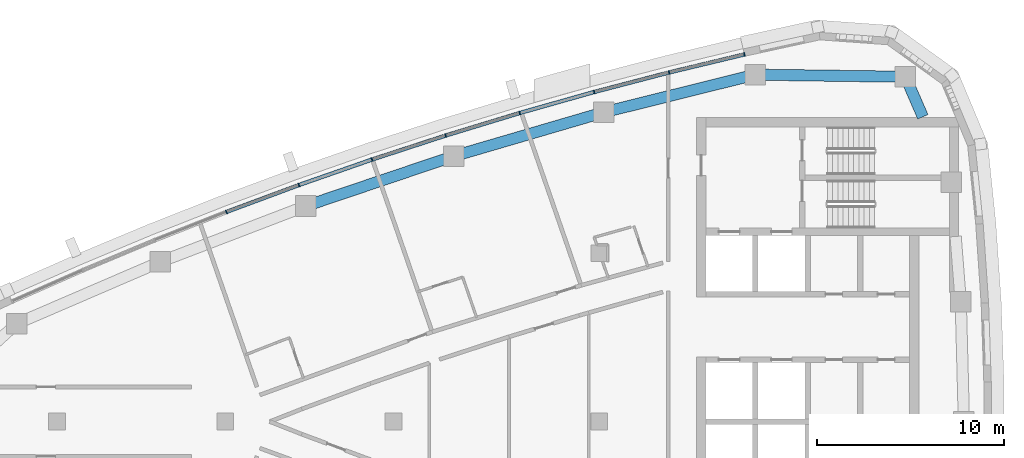
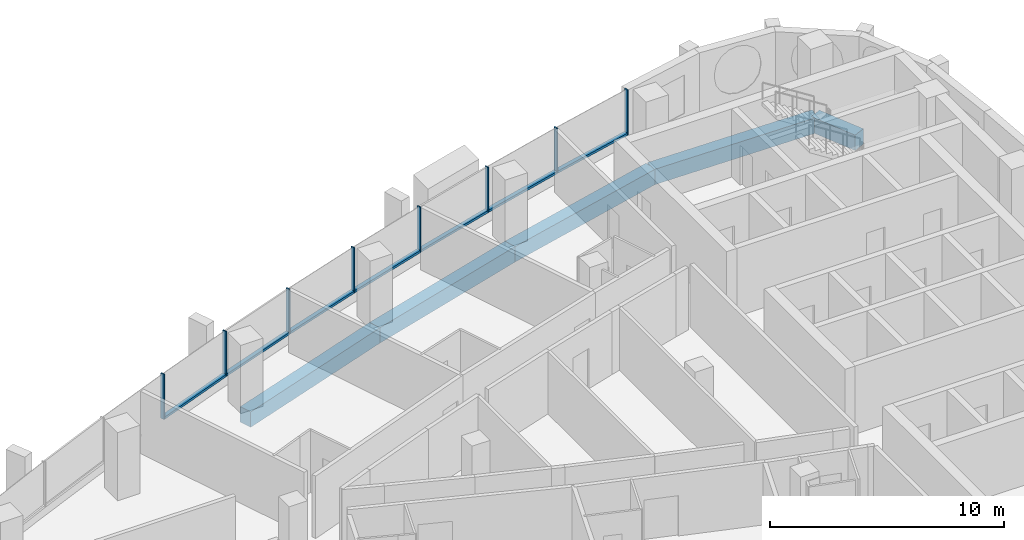
# One storey, part 5 of 15: 15 members, 5 beams, 4 elements without a shape of their own.
"""IFC4 building model written with IfcOpenShell, lengths in metres."""

from ifc_helpers import new_model, si_unit, direction, frame, origin, origin_2d, place, context, subcontext, project, spatial, rectangle, extrude, material, layer, layer_set, material_profile, profile_set, type_object, element, aggregate, save


model = new_model("IFC4")

# Units and contexts
model_context = context("Model", 3, precision=1e-05, world=origin(), true_north=direction((0.0, 1.0)))
body_context = subcontext(model_context, "Body", "Model", "MODEL_VIEW")
ifc_project = project(units=[si_unit("LENGTHUNIT", "METRE"), si_unit("AREAUNIT", "SQUARE_METRE"), si_unit("VOLUMEUNIT", "CUBIC_METRE"), si_unit("PLANEANGLEUNIT", "RADIAN"), si_unit("MASSUNIT", "GRAM", prefix="KILO")], contexts=[model_context])

# Site, building, storey
site_placement = place(None, origin())
site = spatial("IfcSite", under=ifc_project, at=site_placement, CompositionType="ELEMENT")
building_placement = place(site_placement, origin())
building = spatial("IfcBuilding", under=site, at=building_placement, Name="Ostrand Prow Hotel Tower", CompositionType="ELEMENT")
storey_placement = place(building_placement, frame((0.0, 0.0, 292.75)))
storey = spatial("IfcBuildingStorey", under=building, at=storey_placement, Name="L74", CompositionType="ELEMENT", Elevation=292.75)

# Beams
ifc_material_1 = material(Name="Concrete C50/60", Category="concrete")
ifc_material_profile_1 = material_profile(ifc_material_1, rectangle(XDim=0.60009765625, YDim=0.800048828125, at=origin_2d()), Name="RC 600x800")
ifc_profile_set_1 = profile_set([ifc_material_profile_1], Name="Concrete C50/60")
beam_type = type_object("IfcBeamType", Name="Edge beam 600x800 C50/60", PredefinedType="SPANDREL", material=ifc_profile_set_1)
beam_1_placement = place(storey_placement, frame((62.304931640625, 16.300048828125, -0.699951171875), z_axis=(-0.398863844187, 0.91701016014, 0.0), x_axis=(-0.91701016014, -0.398863844187, 0.0)))
element("IfcBeam", 1, at=beam_1_placement, inside=storey, type_object=beam_type, Name="Edge beam B5-NE", PredefinedType="SPANDREL", context=body_context, shape_type="SweptSolid", body=[
    extrude(rectangle(XDim=0.60009765625, YDim=0.800048828125, at=origin_2d()), origin(), (0.0, 0.0, 1.0), 2.333251953125),
])
beam_2_placement = place(storey_placement, frame((61.374267578125, 18.439697265625, -0.699951171875), z_axis=(-0.999900689486, 0.014092947356, 0.0), x_axis=(-0.014092947356, -0.999900689486, 0.0)))
element("IfcBeam", 2, at=beam_2_placement, inside=storey, type_object=beam_type, Name="Edge beam NE-N1", PredefinedType="SPANDREL", context=body_context, shape_type="SweptSolid", body=[
    extrude(rectangle(XDim=0.60009765625, YDim=0.800048828125, at=origin_2d()), origin(), (0.0, 0.0, 1.0), 8.0380859375),
])
for number, where, z_axis, x_axis, name in (
    (3, (53.3369140625, 18.552978515625, -0.699951171875), (-0.970456465292, -0.241276291775, 0.0), (0.241276291775, -0.970456465292, 0.0), "Edge beam N1-N2"),
    (4, (45.234619140625, 16.53857421875, -0.699951171875), (-0.959821966031, -0.280609681809, 0.0), (0.280609681809, -0.959821966031, 0.0), "Edge beam N2-N3"),
    (5, (37.22119140625, 14.19580078125, -0.699951171875), (-0.947575089419, -0.319533174981, 0.0), (0.319533174981, -0.947575089419, 0.0), "Edge beam N3-N4"),
):
    element("IfcBeam", number, at=place(storey_placement, frame(where, z_axis=z_axis, x_axis=x_axis)), inside=storey, type_object=beam_type, Name=name, PredefinedType="SPANDREL", context=body_context, shape_type="SweptSolid", body=[
        extrude(rectangle(XDim=0.60009765625, YDim=0.800048828125, at=origin_2d()), origin(), (0.0, 0.0, 1.0), 8.348876953125),
    ])

# Curtain wall, members
ifc_material_2 = material(Name="Insulated glass in bronze anodised frame", Category="glass")
ifc_layer = layer(ifc_material_2, 0.199951171875)
ifc_layer_set = layer_set([ifc_layer], Name="Insulated glass in bronze anodised frame")
curtain_wall_type = type_object("IfcCurtainWallType", Name="Strip curtain wall, fritted glass over bronze spandrel", PredefinedType="NOTDEFINED", material=ifc_layer_set)
curtain_wall_1_placement = place(storey_placement, origin())
curtain_wall_1 = element("IfcCurtainWall", 6, at=curtain_wall_1_placement, inside=storey, type_object=curtain_wall_type, Name="CW1 run CWN1", PredefinedType="NOTDEFINED")
ifc_material_3 = material(Name="Bronze anodised aluminium", Category="aluminium")
ifc_material_profile_2 = material_profile(ifc_material_3, rectangle(XDim=0.199951171875, YDim=0.06005859375, at=origin_2d()), Name="Mullion 60x200 bronze anodised aluminium")
ifc_profile_set_2 = profile_set([ifc_material_profile_2], Name="Bronze anodised aluminium")
member_type_1 = type_object("IfcMemberType", Name="Mullion 60x200 bronze anodised aluminium", PredefinedType="MULLION", material=ifc_profile_set_2)
member_1_placement = place(storey_placement, frame((52.7607421875, 19.634521484375, 0.89990234375), z_axis=(0.0, 0.0, 1.0), x_axis=(0.232746096028, -0.972537533869, 0.0)))
member_1 = element("IfcMember", 7, at=member_1_placement, type_object=member_type_1, Name="CW1 mullion 1", PredefinedType="MULLION", context=body_context, shape_type="SweptSolid", body=[
    extrude(rectangle(XDim=0.199951171875, YDim=0.06005859375, at=origin_2d()), origin(), (0.0, 0.0, 1.0), 2.35009765625),
])
member_2_placement = place(storey_placement, frame((48.734619140625, 18.6708984375, 0.89990234375), z_axis=(0.0, 0.0, 1.0), x_axis=(0.252248384867, -0.967662519855, 0.0)))
member_2 = element("IfcMember", 8, at=member_2_placement, type_object=member_type_1, Name="CW1 mullion 2", PredefinedType="MULLION", context=body_context, shape_type="SweptSolid", body=[
    extrude(rectangle(XDim=0.199951171875, YDim=0.06005859375, at=origin_2d()), origin(), (0.0, 0.0, 1.0), 2.35009765625),
])
member_3_placement = place(storey_placement, frame((44.728515625, 17.626708984375, 0.89990234375), z_axis=(0.0, 0.0, 1.0), x_axis=(0.252248384867, -0.967662519855, 0.0)))
member_3 = element("IfcMember", 9, at=member_3_placement, type_object=member_type_1, Name="CW1 mullion 3", PredefinedType="MULLION", context=body_context, shape_type="SweptSolid", body=[
    extrude(rectangle(XDim=0.199951171875, YDim=0.06005859375, at=origin_2d()), origin(), (0.0, 0.0, 1.0), 2.35009765625),
])

curtain_wall_2_placement = place(storey_placement, origin())
curtain_wall_2 = element("IfcCurtainWall", 10, at=curtain_wall_2_placement, inside=storey, type_object=curtain_wall_type, Name="CW1 run CWN2", PredefinedType="NOTDEFINED")
member_4_placement = place(storey_placement, frame((40.744384765625, 16.502197265625, 0.89990234375), z_axis=(0.0, 0.0, 1.0), x_axis=(0.290937648411, -0.956742015769, 0.0)))
member_4 = element("IfcMember", 11, at=member_4_placement, type_object=member_type_1, Name="CW1 mullion 2", PredefinedType="MULLION", context=body_context, shape_type="SweptSolid", body=[
    extrude(rectangle(XDim=0.199951171875, YDim=0.06005859375, at=origin_2d()), origin(), (0.0, 0.0, 1.0), 2.35009765625),
])
member_5_placement = place(storey_placement, frame((36.78369140625, 15.297607421875, 0.89990234375), z_axis=(0.0, 0.0, 1.0), x_axis=(0.290937648411, -0.956742015769, 0.0)))
member_5 = element("IfcMember", 12, at=member_5_placement, type_object=member_type_1, Name="CW1 mullion 3", PredefinedType="MULLION", context=body_context, shape_type="SweptSolid", body=[
    extrude(rectangle(XDim=0.199951171875, YDim=0.06005859375, at=origin_2d()), origin(), (0.0, 0.0, 1.0), 2.35009765625),
])

curtain_wall_3_placement = place(storey_placement, origin())
curtain_wall_3 = element("IfcCurtainWall", 13, at=curtain_wall_3_placement, inside=storey, type_object=curtain_wall_type, Name="CW1 run CWN3", PredefinedType="NOTDEFINED")
member_6_placement = place(storey_placement, frame((32.84814453125, 14.013916015625, 0.89990234375), z_axis=(0.0, 0.0, 1.0), x_axis=(0.329158370885, -0.944274730614, 0.0)))
member_6 = element("IfcMember", 14, at=member_6_placement, type_object=member_type_1, Name="CW1 mullion 2", PredefinedType="MULLION", context=body_context, shape_type="SweptSolid", body=[
    extrude(rectangle(XDim=0.199951171875, YDim=0.06005859375, at=origin_2d()), origin(), (0.0, 0.0, 1.0), 2.35009765625),
])
member_7_placement = place(storey_placement, frame((28.93896484375, 12.6513671875, 0.89990234375), z_axis=(0.0, 0.0, 1.0), x_axis=(0.329158370885, -0.944274730614, 0.0)))
member_7 = element("IfcMember", 15, at=member_7_placement, type_object=member_type_1, Name="CW1 mullion 3", PredefinedType="MULLION", context=body_context, shape_type="SweptSolid", body=[
    extrude(rectangle(XDim=0.199951171875, YDim=0.06005859375, at=origin_2d()), origin(), (0.0, 0.0, 1.0), 2.35009765625),
])

# Curtain wall, member
curtain_wall_4_placement = place(storey_placement, origin())
curtain_wall_4 = element("IfcCurtainWall", 16, at=curtain_wall_4_placement, inside=storey, type_object=curtain_wall_type, Name="CW1 run CWN4", PredefinedType="NOTDEFINED")
member_8_placement = place(storey_placement, frame((25.05810546875, 11.210205078125, 0.89990234375), z_axis=(0.0, 0.0, 1.0), x_axis=(0.366845465248, -0.930281895249, 0.0)))
member_8 = element("IfcMember", 17, at=member_8_placement, type_object=member_type_1, Name="CW1 mullion 2", PredefinedType="MULLION", context=body_context, shape_type="SweptSolid", body=[
    extrude(rectangle(XDim=0.199951171875, YDim=0.06005859375, at=origin_2d()), origin(), (0.0, 0.0, 1.0), 2.35009765625),
])

# Member
ifc_material_4 = material(Name="Bronze anodised aluminium", Category="aluminium")
ifc_material_profile_3 = material_profile(ifc_material_4, rectangle(XDim=0.199951171875, YDim=0.1201171875, at=origin_2d()), Name="Transom 120x200 bronze anodised aluminium")
ifc_profile_set_3 = profile_set([ifc_material_profile_3], Name="Bronze anodised aluminium")
member_type_2 = type_object("IfcMemberType", Name="Transom 120x200 bronze anodised aluminium", PredefinedType="USERDEFINED", material=ifc_profile_set_3)
member_9_placement = place(storey_placement, frame((52.7314453125, 19.62744140625, 0.9599609375), z_axis=(-0.972542980558, -0.232723335675, 0.0), x_axis=(0.232723335675, -0.972542980558, 0.0)))
member_9 = element("IfcMember", 18, at=member_9_placement, type_object=member_type_2, Name="CW1 transom 1.1", ObjectType="TRANSOM", PredefinedType="USERDEFINED", context=body_context, shape_type="SweptSolid", body=[
    extrude(rectangle(XDim=0.199951171875, YDim=0.1201171875, at=origin_2d()), origin(), (0.0, 0.0, 1.0), 4.079833984375),
])

member_10_placement = place(storey_placement, frame((48.70556640625, 18.663330078125, 0.9599609375), z_axis=(-0.967664917891, -0.252239185461, 0.0), x_axis=(0.252239185461, -0.967664917891, 0.0)))
member_10 = element("IfcMember", 19, at=member_10_placement, type_object=member_type_2, Name="CW1 transom 2.1", ObjectType="TRANSOM", PredefinedType="USERDEFINED", context=body_context, shape_type="SweptSolid", body=[
    extrude(rectangle(XDim=0.199951171875, YDim=0.1201171875, at=origin_2d()), origin(), (0.0, 0.0, 1.0), 4.07958984375),
])

aggregate(curtain_wall_1, [member_1, member_2, member_3, member_9, member_10])

member_11_placement = place(storey_placement, frame((44.69970703125, 17.61865234375, 0.9599609375), z_axis=(-0.962386308628, -0.271684730828, 0.0), x_axis=(0.271684730828, -0.962386308628, 0.0)))
member_11 = element("IfcMember", 20, at=member_11_placement, type_object=member_type_2, Name="CW1 transom 1.1", ObjectType="TRANSOM", PredefinedType="USERDEFINED", context=body_context, shape_type="SweptSolid", body=[
    extrude(rectangle(XDim=0.199951171875, YDim=0.1201171875, at=origin_2d()), origin(), (0.0, 0.0, 1.0), 4.079833984375),
])

member_12_placement = place(storey_placement, frame((40.7158203125, 16.493408203125, 0.9599609375), z_axis=(-0.956739081124, -0.290947298751, 0.0), x_axis=(0.290947298751, -0.956739081124, 0.0)))
member_12 = element("IfcMember", 21, at=member_12_placement, type_object=member_type_2, Name="CW1 transom 2.1", ObjectType="TRANSOM", PredefinedType="USERDEFINED", context=body_context, shape_type="SweptSolid", body=[
    extrude(rectangle(XDim=0.199951171875, YDim=0.1201171875, at=origin_2d()), origin(), (0.0, 0.0, 1.0), 4.079833984375),
])

aggregate(curtain_wall_2, [member_4, member_5, member_11, member_12])

member_13_placement = place(storey_placement, frame((36.75537109375, 15.288330078125, 0.9599609375), z_axis=(-0.950704145978, -0.310099382165, 0.0), x_axis=(0.310099382165, -0.950704145978, 0.0)))
member_13 = element("IfcMember", 22, at=member_13_placement, type_object=member_type_2, Name="CW1 transom 1.1", ObjectType="TRANSOM", PredefinedType="USERDEFINED", context=body_context, shape_type="SweptSolid", body=[
    extrude(rectangle(XDim=0.199951171875, YDim=0.1201171875, at=origin_2d()), origin(), (0.0, 0.0, 1.0), 4.079833984375),
])

member_14_placement = place(storey_placement, frame((32.81982421875, 14.004150390625, 0.9599609375), z_axis=(-0.944268108385, -0.329177367822, 0.0), x_axis=(0.329177367822, -0.944268108385, 0.0)))
member_14 = element("IfcMember", 23, at=member_14_placement, type_object=member_type_2, Name="CW1 transom 2.1", ObjectType="TRANSOM", PredefinedType="USERDEFINED", context=body_context, shape_type="SweptSolid", body=[
    extrude(rectangle(XDim=0.199951171875, YDim=0.1201171875, at=origin_2d()), origin(), (0.0, 0.0, 1.0), 4.079833984375),
])

aggregate(curtain_wall_3, [member_6, member_7, member_13, member_14])

member_15_placement = place(storey_placement, frame((28.910888671875, 12.640869140625, 0.9599609375), z_axis=(-0.937460424566, -0.348091873465, 0.0), x_axis=(0.348091873465, -0.937460424566, 0.0)))
member_15 = element("IfcMember", 24, at=member_15_placement, type_object=member_type_2, Name="CW1 transom 1.1", ObjectType="TRANSOM", PredefinedType="USERDEFINED", context=body_context, shape_type="SweptSolid", body=[
    extrude(rectangle(XDim=0.199951171875, YDim=0.1201171875, at=origin_2d()), origin(), (0.0, 0.0, 1.0), 4.079833984375),
])

aggregate(curtain_wall_4, [member_8, member_15])

save(model, "model.ifc")
